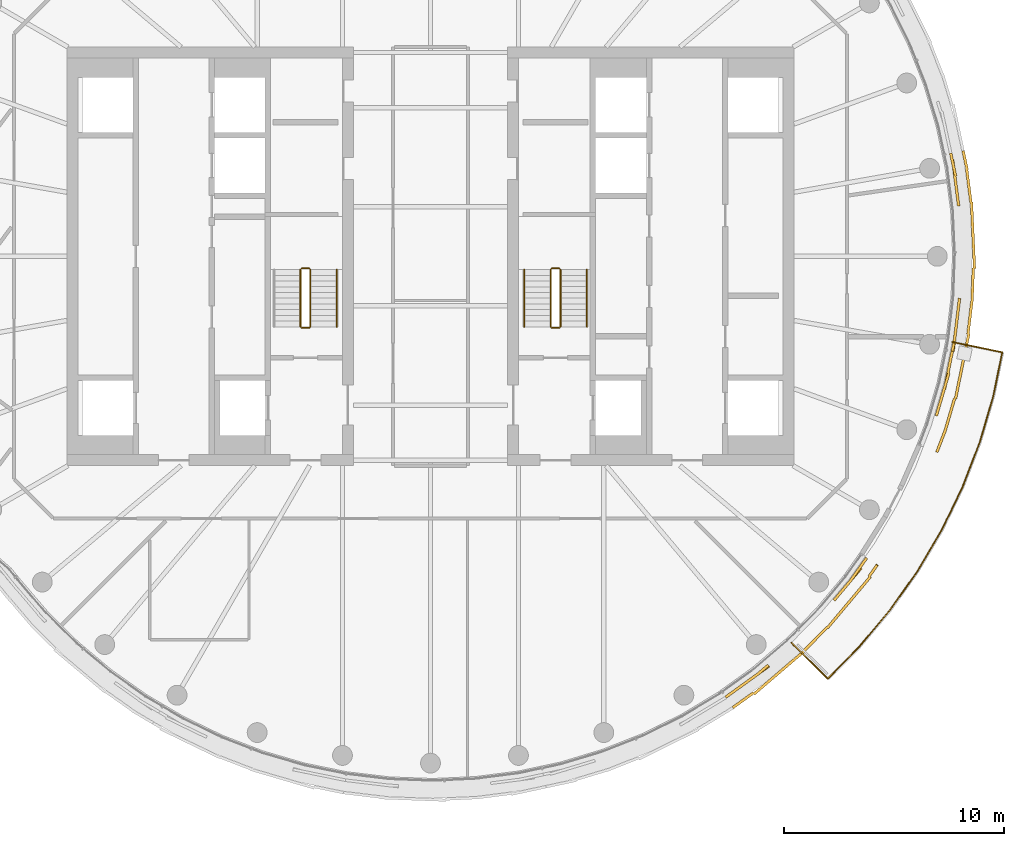
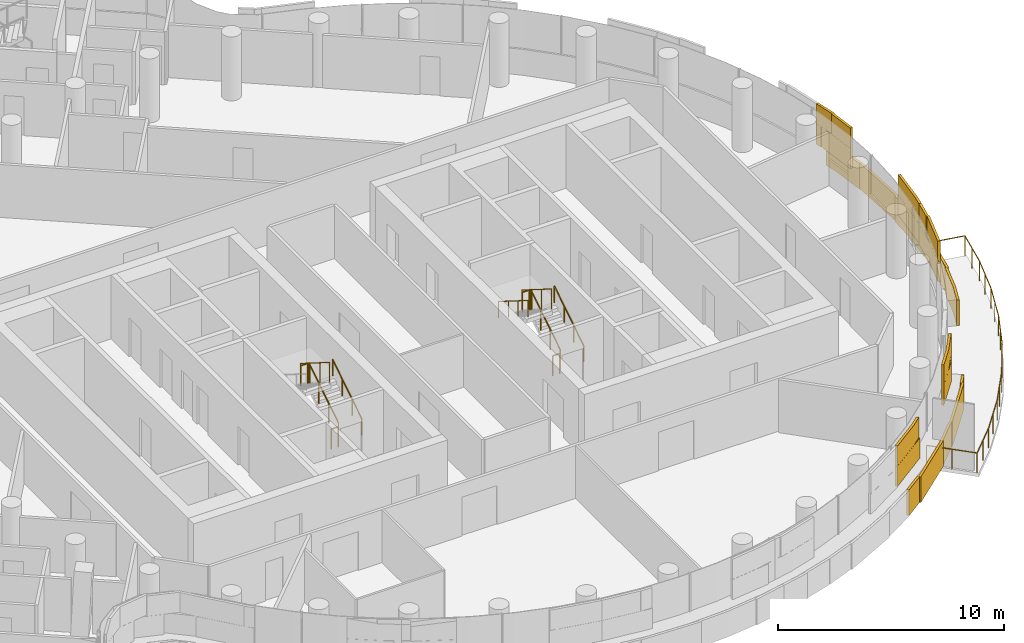
# One storey, part 24 of 27: 12 railings, 3 coverings.
"""IFC4 building model written with IfcOpenShell, lengths in metres."""

from ifc_helpers import new_model, si_unit, direction, frame, origin, origin_2d, place, context, subcontext, project, spatial, rectangle, circle, extrude, material, layer, layer_set, type_object, element, save


model = new_model("IFC4")

# Units and contexts
model_context = context("Model", 3, precision=1e-05, world=origin(), true_north=direction((0.0, 1.0)))
body_context = subcontext(model_context, "Body", "Model", "MODEL_VIEW")
ifc_project = project(units=[si_unit("LENGTHUNIT", "METRE"), si_unit("AREAUNIT", "SQUARE_METRE"), si_unit("VOLUMEUNIT", "CUBIC_METRE"), si_unit("PLANEANGLEUNIT", "RADIAN"), si_unit("MASSUNIT", "GRAM", prefix="KILO")], contexts=[model_context])

# Site, building, storey
site_placement = place(None, origin())
site = spatial("IfcSite", under=ifc_project, at=site_placement, CompositionType="ELEMENT")
building_placement = place(site_placement, origin())
building = spatial("IfcBuilding", under=site, at=building_placement, Name="Tamarind Cross Interchange Tower", CompositionType="ELEMENT")
storey_placement = place(building_placement, frame((0.0, 0.0, 227.10009765625)))
storey = spatial("IfcBuildingStorey", under=building, at=storey_placement, Name="L57", CompositionType="ELEMENT", Elevation=227.10009765625)

# Railings
ifc_material_1 = material(Name="Stainless steel and laminated glass", Category="steel")
railing_type_1 = type_object("IfcRailingType", Name="Balcony guard", PredefinedType="BALUSTRADE", material=ifc_material_1)
railing_1_placement = place(storey_placement, frame((16.37939453125, -17.5322265625, 0.0)))
element("IfcRailing", 1, at=railing_1_placement, inside=storey, type_object=railing_type_1, Name="Balcony guard 02", PredefinedType="BALUSTRADE", context=body_context, shape_type="SweptSolid", body=[
    extrude(circle(Radius=0.02490234375, at=origin_2d()), frame((0.0, 0.0, 1.0751953125), z_axis=(0.710204282576, -0.703995651272, 0.0), x_axis=(0.703995651272, 0.710204282576, 0.0)), (0.0, 0.0, 1.0), 2.320068359375),
    extrude(circle(Radius=0.02490234375, at=origin_2d()), frame((1.647705078125, -1.63330078125, 1.0751953125), z_axis=(0.704057109179, 0.710143356665, 0.0), x_axis=(-0.710143356665, 0.704057109179, 0.0)), (0.0, 0.0, 1.0), 2.005615234375),
    extrude(circle(Radius=0.02490234375, at=origin_2d()), frame((3.059814453125, -0.208984375, 1.0751953125), z_axis=(0.642984125922, 0.765879503455, 0.0), x_axis=(-0.765879503455, 0.642984125922, 0.0)), (0.0, 0.0, 1.0), 2.17529296875),
    extrude(circle(Radius=0.02490234375, at=origin_2d()), frame((4.45849609375, 1.45703125, 1.0751953125), z_axis=(0.577590617379, 0.81632657602, 0.0), x_axis=(-0.81632657602, 0.577590617379, 0.0)), (0.0, 0.0, 1.0), 2.175048828125),
    extrude(circle(Radius=0.02490234375, at=origin_2d()), frame((5.71484375, 3.232666015625, 1.0751953125), z_axis=(0.508226290333, 0.861223570169, 0.0), x_axis=(-0.861223570169, 0.508226290333, 0.0)), (0.0, 0.0, 1.0), 2.175048828125),
    extrude(circle(Radius=0.02490234375, at=origin_2d()), frame((6.8203125, 5.10595703125, 1.0751953125), z_axis=(0.435276325285, 0.90029690694, 0.0), x_axis=(-0.90029690694, 0.435276325285, 0.0)), (0.0, 0.0, 1.0), 2.175048828125),
    extrude(circle(Radius=0.02490234375, at=origin_2d()), frame((7.76708984375, 7.064208984375, 1.0751953125), z_axis=(0.359497979449, 0.93314586361, 0.0), x_axis=(-0.93314586361, 0.359497979449, 0.0)), (0.0, 0.0, 1.0), 2.17529296875),
    extrude(circle(Radius=0.02490234375, at=origin_2d()), frame((8.549072265625, 9.093994140625, 1.0751953125), z_axis=(0.281266871208, 0.959629588519, 0.0), x_axis=(-0.959629588519, 0.281266871208, 0.0)), (0.0, 0.0, 1.0), 2.17529296875),
    extrude(circle(Radius=0.02490234375, at=origin_2d()), frame((9.160888671875, 11.181396484375, 1.0751953125), z_axis=(0.201000177482, 0.979591204867, 0.0), x_axis=(-0.979591204867, 0.201000177482, 0.0)), (0.0, 0.0, 1.0), 2.036865234375),
    extrude(circle(Radius=0.02490234375, at=origin_2d()), frame((9.5703125, 13.1767578125, 1.0751953125), z_axis=(-0.979593139136, 0.20099075043, 0.0), x_axis=(-0.20099075043, -0.979593139136, 0.0)), (0.0, 0.0, 1.0), 2.320068359375),
    extrude(circle(Radius=0.02001953125, at=origin_2d()), origin(), (0.0, 0.0, 1.0), 1.050048828125),
    extrude(circle(Radius=0.02001953125, at=origin_2d()), frame((0.82373046875, -0.816650390625, 0.0)), (0.0, 0.0, 1.0), 1.050048828125),
    extrude(circle(Radius=0.02001953125, at=origin_2d()), frame((1.647705078125, -1.63330078125, 0.0)), (0.0, 0.0, 1.0), 1.050048828125),
    extrude(circle(Radius=0.02001953125, at=origin_2d()), frame((2.353759765625, -0.921142578125, 0.0)), (0.0, 0.0, 1.0), 1.050048828125),
    extrude(circle(Radius=0.02001953125, at=origin_2d()), frame((3.059814453125, -0.208984375, 0.0)), (0.0, 0.0, 1.0), 1.050048828125),
    extrude(circle(Radius=0.02001953125, at=origin_2d()), frame((3.75927734375, 0.6240234375, 0.0)), (0.0, 0.0, 1.0), 1.050048828125),
    extrude(circle(Radius=0.02001953125, at=origin_2d()), frame((4.45849609375, 1.45703125, 0.0)), (0.0, 0.0, 1.0), 1.050048828125),
    extrude(circle(Radius=0.02001953125, at=origin_2d()), frame((5.086669921875, 2.3447265625, 0.0)), (0.0, 0.0, 1.0), 1.050048828125),
    extrude(circle(Radius=0.02001953125, at=origin_2d()), frame((5.71484375, 3.232666015625, 0.0)), (0.0, 0.0, 1.0), 1.050048828125),
    extrude(circle(Radius=0.02001953125, at=origin_2d()), frame((6.267578125, 4.16943359375, 0.0)), (0.0, 0.0, 1.0), 1.050048828125),
    extrude(circle(Radius=0.02001953125, at=origin_2d()), frame((6.8203125, 5.10595703125, 0.0)), (0.0, 0.0, 1.0), 1.050048828125),
    extrude(circle(Radius=0.02001953125, at=origin_2d()), frame((7.293701171875, 6.0849609375, 0.0)), (0.0, 0.0, 1.0), 1.050048828125),
    extrude(circle(Radius=0.02001953125, at=origin_2d()), frame((7.76708984375, 7.064208984375, 0.0)), (0.0, 0.0, 1.0), 1.050048828125),
    extrude(circle(Radius=0.02001953125, at=origin_2d()), frame((8.158203125, 8.0791015625, 0.0)), (0.0, 0.0, 1.0), 1.050048828125),
    extrude(circle(Radius=0.02001953125, at=origin_2d()), frame((8.549072265625, 9.093994140625, 0.0)), (0.0, 0.0, 1.0), 1.050048828125),
    extrude(circle(Radius=0.02001953125, at=origin_2d()), frame((8.85498046875, 10.1376953125, 0.0)), (0.0, 0.0, 1.0), 1.050048828125),
    extrude(circle(Radius=0.02001953125, at=origin_2d()), frame((9.160888671875, 11.181396484375, 0.0)), (0.0, 0.0, 1.0), 1.050048828125),
    extrude(circle(Radius=0.02001953125, at=origin_2d()), frame((9.36572265625, 12.17919921875, 0.0)), (0.0, 0.0, 1.0), 1.050048828125),
    extrude(circle(Radius=0.02001953125, at=origin_2d()), frame((9.5703125, 13.1767578125, 0.0)), (0.0, 0.0, 1.0), 1.050048828125),
    extrude(circle(Radius=0.02001953125, at=origin_2d()), frame((8.43408203125, 13.409912109375, 0.0)), (0.0, 0.0, 1.0), 1.050048828125),
    extrude(circle(Radius=0.02001953125, at=origin_2d()), frame((7.297607421875, 13.64306640625, 0.0)), (0.0, 0.0, 1.0), 1.050048828125),
])
ifc_material_2 = material(Name="Stair guard")
railing_type_2 = type_object("IfcRailingType", Name="Stair guard", PredefinedType="GUARDRAIL", material=ifc_material_2)
railing_2_placement = place(storey_placement, frame((-5.449951171875, -3.199951171875, 0.16357421875)))
element("IfcRailing", 2, at=railing_2_placement, inside=storey, type_object=railing_type_2, Name="L57 ST1 stair guard 1", PredefinedType="GUARDRAIL", context=body_context, shape_type="SweptSolid", body=[
    extrude(circle(Radius=0.02392578125, at=origin_2d()), frame((0.0, 0.0, 1.076171875), z_axis=(0.0, 0.846337672412, 0.532646734952), x_axis=(-1.0, 0.0, 0.0)), (0.0, 0.0, 1.0), 3.07177734375),
    extrude(circle(Radius=0.02099609375, at=origin_2d()), origin(), (0.0, 0.0, 1.0), 1.052001953125),
    extrude(circle(Radius=0.02099609375, at=origin_2d()), frame((0.0, 0.86669921875, 0.54541015625)), (0.0, 0.0, 1.0), 1.052001953125),
    extrude(circle(Radius=0.02099609375, at=origin_2d()), frame((0.0, 1.733154296875, 1.0908203125)), (0.0, 0.0, 1.0), 1.052001953125),
    extrude(circle(Radius=0.02099609375, at=origin_2d()), frame((0.0, 2.599853515625, 1.63623046875)), (0.0, 0.0, 1.0), 1.052001953125),
])
railing_3_placement = place(storey_placement, frame((-5.5, -0.550048828125, 1.7998046875)))
element("IfcRailing", 3, at=railing_3_placement, inside=storey, type_object=railing_type_2, Name="L57 ST1 stair guard 2", PredefinedType="GUARDRAIL", context=body_context, shape_type="SweptSolid", body=[
    extrude(circle(Radius=0.02392578125, at=origin_2d()), frame((0.0, 0.0, 1.076171875), z_axis=(-1.0, 0.0, 0.0), x_axis=(0.0, -1.0, 0.0)), (0.0, 0.0, 1.0), 0.35009765625),
    extrude(circle(Radius=0.02099609375, at=origin_2d()), origin(), (0.0, 0.0, 1.0), 1.052001953125),
    extrude(circle(Radius=0.02099609375, at=origin_2d()), frame((-0.35009765625, 0.0, 0.0)), (0.0, 0.0, 1.0), 1.052001953125),
])
railing_4_placement = place(storey_placement, frame((-5.89990234375, -0.60009765625, 1.963623046875)))
element("IfcRailing", 4, at=railing_4_placement, inside=storey, type_object=railing_type_2, Name="L57 ST1 stair guard 3", PredefinedType="GUARDRAIL", context=body_context, shape_type="SweptSolid", body=[
    extrude(circle(Radius=0.02392578125, at=origin_2d()), frame((0.0, 0.0, 1.076171875), z_axis=(0.0, -0.846337672412, 0.532646734952), x_axis=(1.0, 0.0, 0.0)), (0.0, 0.0, 1.0), 3.07177734375),
    extrude(circle(Radius=0.02099609375, at=origin_2d()), origin(), (0.0, 0.0, 1.0), 1.052001953125),
    extrude(circle(Radius=0.02099609375, at=origin_2d()), frame((0.0, -0.86669921875, 0.54541015625)), (0.0, 0.0, 1.0), 1.052001953125),
    extrude(circle(Radius=0.02099609375, at=origin_2d()), frame((0.0, -1.733154296875, 1.0908203125)), (0.0, 0.0, 1.0), 1.052001953125),
    extrude(circle(Radius=0.02099609375, at=origin_2d()), frame((0.0, -2.599853515625, 1.63623046875)), (0.0, 0.0, 1.0), 1.052001953125),
])
railing_5_placement = place(storey_placement, frame((-5.5, -3.25, 0.0)))
element("IfcRailing", 5, at=railing_5_placement, inside=storey, type_object=railing_type_2, Name="L57 ST1 stair guard 4", PredefinedType="GUARDRAIL", context=body_context, shape_type="SweptSolid", body=[
    extrude(circle(Radius=0.02392578125, at=origin_2d()), frame((0.0, 0.0, 1.076171875), z_axis=(-1.0, 0.0, 0.0), x_axis=(0.0, -1.0, 0.0)), (0.0, 0.0, 1.0), 0.35009765625),
    extrude(circle(Radius=0.02099609375, at=origin_2d()), origin(), (0.0, 0.0, 1.0), 1.052001953125),
    extrude(circle(Radius=0.02099609375, at=origin_2d()), frame((-0.35009765625, 0.0, 0.0)), (0.0, 0.0, 1.0), 1.052001953125),
])
railing_6_placement = place(storey_placement, frame((5.89990234375, -3.199951171875, 0.16357421875)))
element("IfcRailing", 6, at=railing_6_placement, inside=storey, type_object=railing_type_2, Name="L57 ST2 stair guard 1", PredefinedType="GUARDRAIL", context=body_context, shape_type="SweptSolid", body=[
    extrude(circle(Radius=0.02392578125, at=origin_2d()), frame((0.0, 0.0, 1.076171875), z_axis=(0.0, 0.846337672412, 0.532646734952), x_axis=(-1.0, 0.0, 0.0)), (0.0, 0.0, 1.0), 3.07177734375),
    extrude(circle(Radius=0.02099609375, at=origin_2d()), origin(), (0.0, 0.0, 1.0), 1.052001953125),
    extrude(circle(Radius=0.02099609375, at=origin_2d()), frame((0.0, 0.86669921875, 0.54541015625)), (0.0, 0.0, 1.0), 1.052001953125),
    extrude(circle(Radius=0.02099609375, at=origin_2d()), frame((0.0, 1.733154296875, 1.0908203125)), (0.0, 0.0, 1.0), 1.052001953125),
    extrude(circle(Radius=0.02099609375, at=origin_2d()), frame((0.0, 2.599853515625, 1.63623046875)), (0.0, 0.0, 1.0), 1.052001953125),
])
railing_7_placement = place(storey_placement, frame((5.85009765625, -0.550048828125, 1.7998046875)))
element("IfcRailing", 7, at=railing_7_placement, inside=storey, type_object=railing_type_2, Name="L57 ST2 stair guard 2", PredefinedType="GUARDRAIL", context=body_context, shape_type="SweptSolid", body=[
    extrude(circle(Radius=0.02392578125, at=origin_2d()), frame((0.0, 0.0, 1.076171875), z_axis=(-1.0, 0.0, 0.0), x_axis=(0.0, -1.0, 0.0)), (0.0, 0.0, 1.0), 0.35009765625),
    extrude(circle(Radius=0.02099609375, at=origin_2d()), origin(), (0.0, 0.0, 1.0), 1.052001953125),
    extrude(circle(Radius=0.02099609375, at=origin_2d()), frame((-0.35009765625, 0.0, 0.0)), (0.0, 0.0, 1.0), 1.052001953125),
])
railing_8_placement = place(storey_placement, frame((5.449951171875, -0.60009765625, 1.963623046875)))
element("IfcRailing", 8, at=railing_8_placement, inside=storey, type_object=railing_type_2, Name="L57 ST2 stair guard 3", PredefinedType="GUARDRAIL", context=body_context, shape_type="SweptSolid", body=[
    extrude(circle(Radius=0.02392578125, at=origin_2d()), frame((0.0, 0.0, 1.076171875), z_axis=(0.0, -0.846337672412, 0.532646734952), x_axis=(1.0, 0.0, 0.0)), (0.0, 0.0, 1.0), 3.07177734375),
    extrude(circle(Radius=0.02099609375, at=origin_2d()), origin(), (0.0, 0.0, 1.0), 1.052001953125),
    extrude(circle(Radius=0.02099609375, at=origin_2d()), frame((0.0, -0.86669921875, 0.54541015625)), (0.0, 0.0, 1.0), 1.052001953125),
    extrude(circle(Radius=0.02099609375, at=origin_2d()), frame((0.0, -1.733154296875, 1.0908203125)), (0.0, 0.0, 1.0), 1.052001953125),
    extrude(circle(Radius=0.02099609375, at=origin_2d()), frame((0.0, -2.599853515625, 1.63623046875)), (0.0, 0.0, 1.0), 1.052001953125),
])
railing_9_placement = place(storey_placement, frame((5.85009765625, -3.25, 0.0)))
element("IfcRailing", 9, at=railing_9_placement, inside=storey, type_object=railing_type_2, Name="L57 ST2 stair guard 4", PredefinedType="GUARDRAIL", context=body_context, shape_type="SweptSolid", body=[
    extrude(circle(Radius=0.02392578125, at=origin_2d()), frame((0.0, 0.0, 1.076171875), z_axis=(-1.0, 0.0, 0.0), x_axis=(0.0, -1.0, 0.0)), (0.0, 0.0, 1.0), 0.35009765625),
    extrude(circle(Radius=0.02099609375, at=origin_2d()), origin(), (0.0, 0.0, 1.0), 1.052001953125),
    extrude(circle(Radius=0.02099609375, at=origin_2d()), frame((-0.35009765625, 0.0, 0.0)), (0.0, 0.0, 1.0), 1.052001953125),
])
ifc_material_3 = material(Name="Stair handrail")
railing_type_3 = type_object("IfcRailingType", Name="Stair handrail", PredefinedType="HANDRAIL", material=ifc_material_3)
for number, where, name in (
    (10, (-4.25, -3.199951171875, 0.16357421875), "L57 ST1 stair handrail 1"),
    (11, (7.10009765625, -3.199951171875, 0.16357421875), "L57 ST2 stair handrail 1"),
):
    element("IfcRailing", number, at=place(storey_placement, frame(where)), inside=storey, type_object=railing_type_3, Name=name, PredefinedType="HANDRAIL", context=body_context, shape_type="SweptSolid", body=[
        extrude(circle(Radius=0.02392578125, at=origin_2d()), frame((0.0, 0.0, 0.8759765625), z_axis=(0.0, 0.846337672412, 0.532646734952), x_axis=(-1.0, 0.0, 0.0)), (0.0, 0.0, 1.0), 3.07177734375),
        extrude(circle(Radius=0.02099609375, at=origin_2d()), origin(), (0.0, 0.0, 1.0), 0.851806640625),
        extrude(circle(Radius=0.02099609375, at=origin_2d()), frame((0.0, 0.86669921875, 0.54541015625)), (0.0, 0.0, 1.0), 0.851806640625),
        extrude(circle(Radius=0.02099609375, at=origin_2d()), frame((0.0, 1.733154296875, 1.0908203125)), (0.0, 0.0, 1.0), 0.851806640625),
        extrude(circle(Radius=0.02099609375, at=origin_2d()), frame((0.0, 2.599853515625, 1.63623046875)), (0.0, 0.0, 1.0), 0.851806640625),
    ])
railing_10_placement = place(storey_placement, frame((4.25, -0.60009765625, 1.963623046875)))
element("IfcRailing", 12, at=railing_10_placement, inside=storey, type_object=railing_type_3, Name="L57 ST2 stair handrail 2", PredefinedType="HANDRAIL", context=body_context, shape_type="SweptSolid", body=[
    extrude(circle(Radius=0.02392578125, at=origin_2d()), frame((0.0, 0.0, 0.8759765625), z_axis=(0.0, -0.846337672412, 0.532646734952), x_axis=(1.0, 0.0, 0.0)), (0.0, 0.0, 1.0), 3.07177734375),
    extrude(circle(Radius=0.02099609375, at=origin_2d()), origin(), (0.0, 0.0, 1.0), 0.851806640625),
    extrude(circle(Radius=0.02099609375, at=origin_2d()), frame((0.0, -0.86669921875, 0.54541015625)), (0.0, 0.0, 1.0), 0.851806640625),
    extrude(circle(Radius=0.02099609375, at=origin_2d()), frame((0.0, -1.733154296875, 1.0908203125)), (0.0, 0.0, 1.0), 0.851806640625),
    extrude(circle(Radius=0.02099609375, at=origin_2d()), frame((0.0, -2.599853515625, 1.63623046875)), (0.0, 0.0, 1.0), 0.851806640625),
])

# Coverings
ifc_material_4 = material(Name="Terracotta", Category="masonry")
ifc_layer = layer(ifc_material_4, 0.1201171875)
ifc_layer_set = layer_set([ifc_layer], Name="Terracotta")
covering_type = type_object("IfcCoveringType", Name="Terracotta baguette screen unit", PredefinedType="MOLDING", material=ifc_layer_set)
covering_1_placement = place(storey_placement, origin())
element("IfcCovering", 13, at=covering_1_placement, inside=storey, type_object=covering_type, Name="SCR-L57-02-04", PredefinedType="MOLDING", context=body_context, shape_type="SweptSolid", body=[
    extrude(rectangle(XDim=1.033447265625, YDim=0.1201171875, at=origin_2d()), frame((13.813232421875, -19.708984375, 1.40380859375), z_axis=(0.0, 0.0, 1.0), x_axis=(0.811340475102, 0.584573890505, 0.0)), (0.0, 0.0, 1.0), 1.092041015625),
    extrude(rectangle(XDim=1.408203125, YDim=0.1201171875, at=origin_2d()), frame((14.795654296875, -19.0009765625, 1.40380859375), z_axis=(0.0, 0.0, 1.0), x_axis=(0.811340475102, 0.584573890505, 0.0)), (0.0, 0.0, 1.0), 1.092041015625),
    extrude(rectangle(XDim=0.41162109375, YDim=0.1201171875, at=origin_2d()), frame((18.446533203125, -15.455322265625, 1.40380859375), z_axis=(0.0, 0.0, 1.0), x_axis=(0.643009266048, 0.765858396687, 0.0)), (0.0, 0.0, 1.0), 1.092041015625),
    extrude(rectangle(XDim=1.52001953125, YDim=0.1201171875, at=origin_2d()), frame((19.057861328125, -14.727294921875, 1.40380859375), z_axis=(0.0, 0.0, 1.0), x_axis=(0.643009266048, 0.765858396687, 0.0)), (0.0, 0.0, 1.0), 1.092041015625),
    extrude(rectangle(XDim=0.530029296875, YDim=0.1201171875, at=origin_2d()), frame((19.642578125, -13.90380859375, 1.40380859375), z_axis=(0.0, 0.0, 1.0), x_axis=(0.577568978284, 0.816341886298, 0.0)), (0.0, 0.0, 1.0), 1.092041015625),
    extrude(rectangle(XDim=0.283447265625, YDim=0.1201171875, at=origin_2d()), frame((13.509033203125, -19.927978515625, 2.50390625), z_axis=(0.0, 0.0, 1.0), x_axis=(0.811340475102, 0.584573890505, 0.0)), (0.0, 0.0, 1.0), 1.092041015625),
    extrude(rectangle(XDim=1.52001953125, YDim=0.1201171875, at=origin_2d()), frame((14.228271484375, -19.40966796875, 2.50390625), z_axis=(0.0, 0.0, 1.0), x_axis=(0.811340475102, 0.584573890505, 0.0)), (0.0, 0.0, 1.0), 1.092041015625),
    extrude(rectangle(XDim=0.658203125, YDim=0.1201171875, at=origin_2d()), frame((15.085693359375, -18.763916015625, 2.50390625), z_axis=(0.0, 0.0, 1.0), x_axis=(0.760295606781, 0.64957723968, 0.0)), (0.0, 0.0, 1.0), 1.092041015625),
    extrude(rectangle(XDim=1.16162109375, YDim=0.1201171875, at=origin_2d()), frame((18.687744140625, -15.168212890625, 2.50390625), z_axis=(0.0, 0.0, 1.0), x_axis=(0.643009266048, 0.765858396687, 0.0)), (0.0, 0.0, 1.0), 1.092041015625),
    extrude(rectangle(XDim=1.280029296875, YDim=0.1201171875, at=origin_2d()), frame((19.426025390625, -14.2099609375, 2.50390625), z_axis=(0.0, 0.0, 1.0), x_axis=(0.577568978284, 0.816341886298, 0.0)), (0.0, 0.0, 1.0), 1.092041015625),
    extrude(rectangle(XDim=1.15283203125, YDim=0.1201171875, at=origin_2d()), frame((14.185302734375, -20.148193359375, 0.00390625), z_axis=(0.0, 0.0, 1.0), x_axis=(0.811340475102, 0.584573890505, 0.0)), (0.0, 0.0, 1.0), 1.39208984375),
    extrude(rectangle(XDim=1.52001953125, YDim=0.1201171875, at=origin_2d()), frame((15.251953125, -19.376708984375, 0.00390625), z_axis=(0.0, 0.0, 1.0), x_axis=(0.760295606781, 0.64957723968, 0.0)), (0.0, 0.0, 1.0), 1.39208984375),
    extrude(rectangle(XDim=1.52001953125, YDim=0.1201171875, at=origin_2d()), frame((16.392578125, -18.40234375, 0.00390625), z_axis=(0.0, 0.0, 1.0), x_axis=(0.760295606781, 0.64957723968, 0.0)), (0.0, 0.0, 1.0), 1.39208984375),
    extrude(rectangle(XDim=1.52001953125, YDim=0.1201171875, at=origin_2d()), frame((17.477294921875, -17.3681640625, 0.00390625), z_axis=(0.0, 0.0, 1.0), x_axis=(0.704057148523, 0.710143317658, 0.0)), (0.0, 0.0, 1.0), 1.39208984375),
    extrude(rectangle(XDim=1.52001953125, YDim=0.1201171875, at=origin_2d()), frame((18.505615234375, -16.277587890625, 0.00390625), z_axis=(0.0, 0.0, 1.0), x_axis=(0.643009266048, 0.765858396687, 0.0)), (0.0, 0.0, 1.0), 1.39208984375),
    extrude(rectangle(XDim=1.52001953125, YDim=0.1201171875, at=origin_2d()), frame((19.47021484375, -15.12890625, 0.00390625), z_axis=(0.0, 0.0, 1.0), x_axis=(0.643009266048, 0.765858396687, 0.0)), (0.0, 0.0, 1.0), 1.39208984375),
    extrude(rectangle(XDim=0.6259765625, YDim=0.1201171875, at=origin_2d()), frame((20.083984375, -14.273681640625, 0.00390625), z_axis=(0.0, 0.0, 1.0), x_axis=(0.577568978284, 0.816341886298, 0.0)), (0.0, 0.0, 1.0), 1.39208984375),
])
covering_2_placement = place(storey_placement, origin())
element("IfcCovering", 14, at=covering_2_placement, inside=storey, type_object=covering_type, Name="SCR-L57-02-05", PredefinedType="MOLDING", context=body_context, shape_type="SweptSolid", body=[
    extrude(rectangle(XDim=1.27099609375, YDim=0.1201171875, at=origin_2d()), frame((23.134033203125, -6.631591796875, 1.40380859375), z_axis=(0.0, 0.0, 1.0), x_axis=(0.281208920763, 0.95964657186, 0.0)), (0.0, 0.0, 1.0), 1.092041015625),
    extrude(rectangle(XDim=1.52001953125, YDim=0.1201171875, at=origin_2d()), frame((23.47998046875, -5.29638671875, 1.40380859375), z_axis=(0.0, 0.0, 1.0), x_axis=(0.201001463943, 0.9795909409, 0.0)), (0.0, 0.0, 1.0), 1.092041015625),
    extrude(rectangle(XDim=0.26806640625, YDim=0.1201171875, at=origin_2d()), frame((23.65673828125, -4.435302734375, 1.40380859375), z_axis=(0.0, 0.0, 1.0), x_axis=(0.201001463943, 0.9795909409, 0.0)), (0.0, 0.0, 1.0), 1.092041015625),
    extrude(rectangle(XDim=0.52099609375, YDim=0.1201171875, at=origin_2d()), frame((23.028564453125, -6.991455078125, 2.50390625), z_axis=(0.0, 0.0, 1.0), x_axis=(0.281208920763, 0.95964657186, 0.0)), (0.0, 0.0, 1.0), 1.092041015625),
    extrude(rectangle(XDim=1.52001953125, YDim=0.1201171875, at=origin_2d()), frame((23.3115234375, -6.026611328125, 2.50390625), z_axis=(0.0, 0.0, 1.0), x_axis=(0.281208920763, 0.95964657186, 0.0)), (0.0, 0.0, 1.0), 1.092041015625),
    extrude(rectangle(XDim=1.01806640625, YDim=0.1201171875, at=origin_2d()), frame((23.581298828125, -4.802734375, 2.50390625), z_axis=(0.0, 0.0, 1.0), x_axis=(0.201001463943, 0.9795909409, 0.0)), (0.0, 0.0, 1.0), 1.092041015625),
    extrude(rectangle(XDim=0.03076171875, YDim=0.1201171875, at=origin_2d()), frame((20.273681640625, -14.00537109375, 0.00390625), z_axis=(0.0, 0.0, 1.0), x_axis=(0.577568978284, 0.816341886298, 0.0)), (0.0, 0.0, 1.0), 1.39208984375),
    extrude(rectangle(XDim=1.072021484375, YDim=0.1201171875, at=origin_2d()), frame((23.17333984375, -8.387451171875, 0.00390625), z_axis=(0.0, 0.0, 1.0), x_axis=(0.359495435512, 0.933146843667, 0.0)), (0.0, 0.0, 1.0), 1.39208984375),
    extrude(rectangle(XDim=1.52001953125, YDim=0.1201171875, at=origin_2d()), frame((23.572509765625, -7.176513671875, 0.00390625), z_axis=(0.0, 0.0, 1.0), x_axis=(0.281208920763, 0.95964657186, 0.0)), (0.0, 0.0, 1.0), 1.39208984375),
    extrude(rectangle(XDim=1.52001953125, YDim=0.1201171875, at=origin_2d()), frame((23.9765625, -5.732421875, 0.00390625), z_axis=(0.0, 0.0, 1.0), x_axis=(0.201001463943, 0.9795909409, 0.0)), (0.0, 0.0, 1.0), 1.39208984375),
    extrude(rectangle(XDim=0.608154296875, YDim=0.1201171875, at=origin_2d()), frame((24.1865234375, -4.709716796875, 0.00390625), z_axis=(0.0, 0.0, 1.0), x_axis=(0.201001463943, 0.9795909409, 0.0)), (0.0, 0.0, 1.0), 1.39208984375),
])
covering_3_placement = place(storey_placement, origin())
element("IfcCovering", 15, at=covering_3_placement, inside=storey, type_object=covering_type, Name="SCR-L57-02-06", PredefinedType="MOLDING", context=body_context, shape_type="SweptSolid", body=[
    extrude(rectangle(XDim=1.251953125, YDim=0.1201171875, at=origin_2d()), frame((23.7939453125, -3.698486328125, 1.40380859375), z_axis=(0.0, 0.0, 1.0), x_axis=(0.119420963295, 0.992843710523, 0.0)), (0.0, 0.0, 1.0), 1.092041015625),
    extrude(rectangle(XDim=1.189208984375, YDim=0.1201171875, at=origin_2d()), frame((23.938720703125, -2.49658203125, 1.40380859375), z_axis=(0.0, 0.0, 1.0), x_axis=(0.119420963295, 0.992843710523, 0.0)), (0.0, 0.0, 1.0), 1.092041015625),
    extrude(rectangle(XDim=0.630615234375, YDim=0.1201171875, at=origin_2d()), frame((23.9306640625, 2.591552734375, 1.40380859375), z_axis=(0.0, 0.0, 1.0), x_axis=(-0.127962008342, 0.991779070368, 0.0)), (0.0, 0.0, 1.0), 1.092041015625),
    extrude(rectangle(XDim=1.52001953125, YDim=0.1201171875, at=origin_2d()), frame((23.794921875, 3.643310546875, 1.40380859375), z_axis=(0.0, 0.0, 1.0), x_axis=(-0.127962008342, 0.991779070368, 0.0)), (0.0, 0.0, 1.0), 1.092041015625),
    extrude(rectangle(XDim=0.310546875, YDim=0.1201171875, at=origin_2d()), frame((23.64111328125, 4.529541015625, 1.40380859375), z_axis=(0.0, 0.0, 1.0), x_axis=(-0.209425419705, 0.977824623121, 0.0)), (0.0, 0.0, 1.0), 1.092041015625),
    extrude(rectangle(XDim=0.501953125, YDim=0.1201171875, at=origin_2d()), frame((23.732177734375, -4.068115234375, 2.50390625), z_axis=(0.0, 0.0, 1.0), x_axis=(0.201001463943, 0.9795909409, 0.0)), (0.0, 0.0, 1.0), 1.092041015625),
    extrude(rectangle(XDim=1.52001953125, YDim=0.1201171875, at=origin_2d()), frame((23.8681640625, -3.081787109375, 2.50390625), z_axis=(0.0, 0.0, 1.0), x_axis=(0.119420963295, 0.992843710523, 0.0)), (0.0, 0.0, 1.0), 1.092041015625),
    extrude(rectangle(XDim=0.439208984375, YDim=0.1201171875, at=origin_2d()), frame((23.9833984375, -2.124267578125, 2.50390625), z_axis=(0.0, 0.0, 1.0), x_axis=(0.119420963295, 0.992843710523, 0.0)), (0.0, 0.0, 1.0), 1.092041015625),
    extrude(rectangle(XDim=1.380615234375, YDim=0.1201171875, at=origin_2d()), frame((23.882568359375, 2.96337890625, 2.50390625), z_axis=(0.0, 0.0, 1.0), x_axis=(-0.127962008342, 0.991779070368, 0.0)), (0.0, 0.0, 1.0), 1.092041015625),
    extrude(rectangle(XDim=1.060546875, YDim=0.1201171875, at=origin_2d()), frame((23.7197265625, 4.162841796875, 2.50390625), z_axis=(0.0, 0.0, 1.0), x_axis=(-0.209425419705, 0.977824623121, 0.0)), (0.0, 0.0, 1.0), 1.092041015625),
    extrude(rectangle(XDim=0.91162109375, YDim=0.1201171875, at=origin_2d()), frame((24.339111328125, -3.96533203125, 0.00390625), z_axis=(0.0, 0.0, 1.0), x_axis=(0.201001463943, 0.9795909409, 0.0)), (0.0, 0.0, 1.0), 1.39208984375),
    extrude(rectangle(XDim=1.52001953125, YDim=0.1201171875, at=origin_2d()), frame((24.48291015625, -2.778076171875, 0.00390625), z_axis=(0.0, 0.0, 1.0), x_axis=(0.119420963295, 0.992843710523, 0.0)), (0.0, 0.0, 1.0), 1.39208984375),
    extrude(rectangle(XDim=1.52001953125, YDim=0.1201171875, at=origin_2d()), frame((24.608642578125, -1.28466796875, 0.00390625), z_axis=(0.0, 0.0, 1.0), x_axis=(0.037024696392, 0.999314350871, 0.0)), (0.0, 0.0, 1.0), 1.39208984375),
    extrude(rectangle(XDim=1.52001953125, YDim=0.1201171875, at=origin_2d()), frame((24.6552734375, 0.21435546875, 0.00390625), z_axis=(0.0, 0.0, 1.0), x_axis=(-0.045624486728, 0.998958660912, 0.0)), (0.0, 0.0, 1.0), 1.39208984375),
    extrude(rectangle(XDim=1.52001953125, YDim=0.1201171875, at=origin_2d()), frame((24.5869140625, 1.712890625, 0.00390625), z_axis=(0.0, 0.0, 1.0), x_axis=(-0.045624486728, 0.998958660912, 0.0)), (0.0, 0.0, 1.0), 1.39208984375),
    extrude(rectangle(XDim=1.52001953125, YDim=0.1201171875, at=origin_2d()), frame((24.430419921875, 3.20361328125, 0.00390625), z_axis=(0.0, 0.0, 1.0), x_axis=(-0.127962008342, 0.991779070368, 0.0)), (0.0, 0.0, 1.0), 1.39208984375),
    extrude(rectangle(XDim=0.866455078125, YDim=0.1201171875, at=origin_2d()), frame((24.263427734375, 4.3642578125, 0.00390625), z_axis=(0.0, 0.0, 1.0), x_axis=(-0.209425419705, 0.977824623121, 0.0)), (0.0, 0.0, 1.0), 1.39208984375),
])

save(model, "model.ifc")
